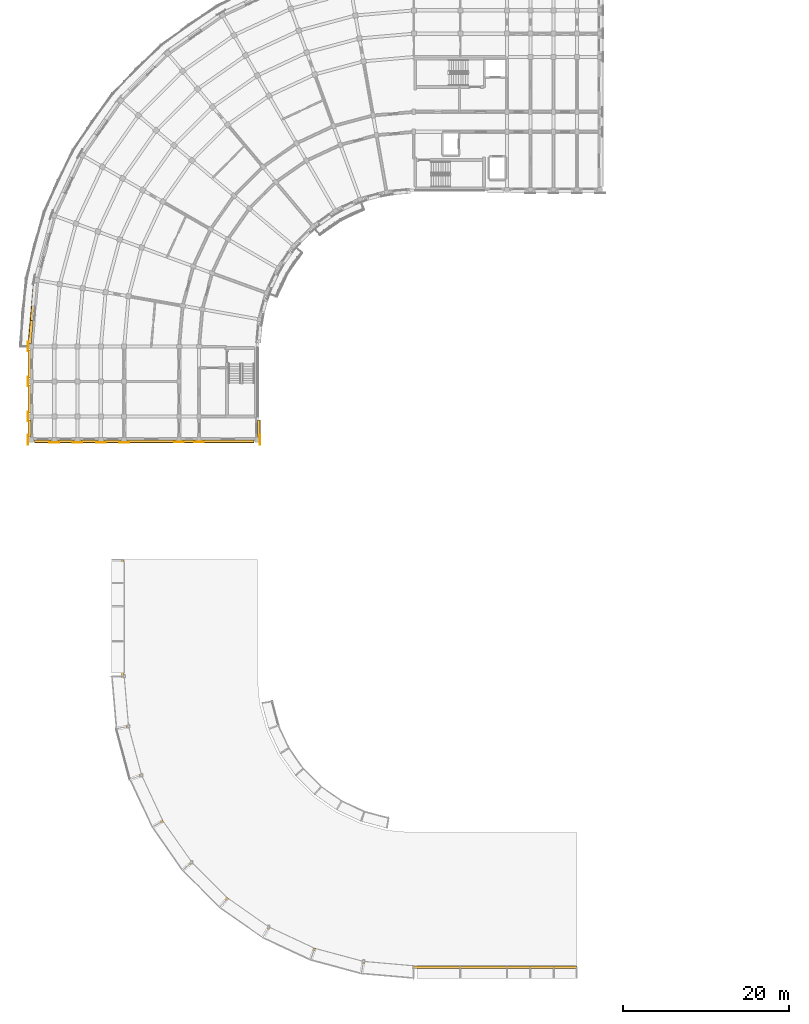
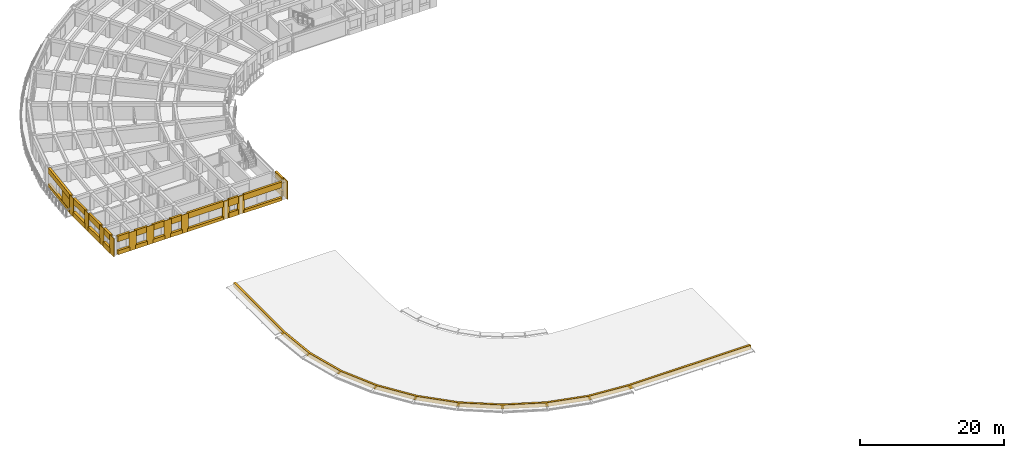
# One storey, part 30 of 41: 37 coverings.
"""IFC4 building model written with IfcOpenShell, lengths in metres."""

from ifc_helpers import new_model, si_unit, direction, frame, origin, place, context, subcontext, project, spatial, polyline, outline, extrude, material, layer, layer_set, type_object, element, save


model = new_model("IFC4")

# Units and contexts
model_context = context("Model", 3, precision=1e-05, world=origin(), true_north=direction((0.0, 1.0)))
body_context = subcontext(model_context, "Body", "Model", "MODEL_VIEW")
ifc_project = project(units=[si_unit("LENGTHUNIT", "METRE"), si_unit("AREAUNIT", "SQUARE_METRE"), si_unit("VOLUMEUNIT", "CUBIC_METRE"), si_unit("PLANEANGLEUNIT", "RADIAN"), si_unit("MASSUNIT", "GRAM", prefix="KILO")], contexts=[model_context])

# Site, building, storey
site_placement = place(None, origin())
site = spatial("IfcSite", under=ifc_project, at=site_placement, CompositionType="ELEMENT")
building_placement = place(site_placement, origin())
building = spatial("IfcBuilding", under=site, at=building_placement, Name="Kiranvali Square Residences", CompositionType="ELEMENT")
storey_placement = place(building_placement, frame((0.0, 0.0, 33.89990234375)))
storey = spatial("IfcBuildingStorey", under=building, at=storey_placement, Name="L10", CompositionType="ELEMENT", Elevation=33.89990234375)

# Coverings
ifc_material_1 = material(Name="Carved Porbandar limestone classical entablature and cornice", Category="masonry")
ifc_layer_1 = layer(ifc_material_1, 0.409912109375)
ifc_layer_set_1 = layer_set([ifc_layer_1], Name="Carved Porbandar limestone classical entablature and cornice")
covering_type_1 = type_object("IfcCoveringType", Name="COV-CLAD-ATTIC", PredefinedType="CLADDING", material=ifc_layer_set_1)
covering_1_placement = place(storey_placement, frame((0.0, 0.0, -0.5498046875)))
element("IfcCovering", 1, at=covering_1_placement, inside=storey, type_object=covering_type_1, Name="Block C Classical Ottoman attic entablature frieze", PredefinedType="CLADDING", context=body_context, shape_type="SweptSolid", body=[
    extrude(outline(polyline([(67.800048828125, 13.39794921875), (48.199951171875, 13.39794921875), (42.15673828125, 13.9267578125), (36.297119140625, 15.496826171875), (30.799072265625, 18.060546875), (25.82958984375, 21.5400390625), (21.5400390625, 25.82958984375), (18.060546875, 30.799072265625), (15.496826171875, 36.297119140625), (13.9267578125, 42.15673828125), (13.39794921875, 48.199951171875), (13.39794921875, 62.199951171875), (13.080078125, 62.199951171875), (13.080078125, 48.199951171875), (13.613525390625, 42.1015625), (15.197998046875, 36.188232421875), (17.78515625, 30.639892578125), (21.296630859375, 25.625244140625), (25.625244140625, 21.296630859375), (30.639892578125, 17.78515625), (36.188232421875, 15.197998046875), (42.1015625, 13.613525390625), (48.199951171875, 13.080078125), (67.800048828125, 13.080078125), (67.800048828125, 13.39794921875)])), origin(), (0.0, 0.0, 1.0), 0.68994140625),
])
ifc_material_2 = material(Name="Honed Porbandar limestone ashlar facade cladding", Category="masonry")
ifc_layer_2 = layer(ifc_material_2, 0.3798828125)
ifc_layer_set_2 = layer_set([ifc_layer_2], Name="Honed Porbandar limestone ashlar facade cladding")
covering_type_2 = type_object("IfcCoveringType", Name="COV-CLAD-JAMB", PredefinedType="CLADDING", material=ifc_layer_set_2)
covering_2_placement = place(storey_placement, frame((0.0, 0.0, 0.522216796875)))
element("IfcCovering", 2, at=covering_2_placement, inside=storey, type_object=covering_type_2, Name="L10 deep limestone window jamb reveal A-L10-CRV-08.R", PredefinedType="CLADDING", context=body_context, shape_type="SweptSolid", body=[
    extrude(outline(polyline([(2.114501953125, 90.95361328125), (1.871826171875, 88.179931640625), (2.22998046875, 88.148681640625), (2.47265625, 90.92236328125), (2.114501953125, 90.95361328125)])), origin(), (0.0, 0.0, 1.0), 1.75),
])
ifc_layer_3 = layer(ifc_material_2, 0.06494140625)
ifc_layer_set_3 = layer_set([ifc_layer_3], Name="Honed Porbandar limestone ashlar facade cladding")
covering_type_3 = type_object("IfcCoveringType", Name="COV-CLAD-PIER", PredefinedType="CLADDING", material=ifc_layer_set_3)
covering_3_placement = place(storey_placement, frame((0.0, 0.0, 0.005126953125)))
element("IfcCovering", 3, at=covering_3_placement, inside=storey, type_object=covering_type_3, Name="L10 Classical limestone corner pilaster CLAD-PR-A-L10-A09", PredefinedType="CLADDING", context=body_context, shape_type="SweptSolid", body=[
    extrude(outline(polyline([(1.83203125, 88.3798828125), (1.83203125, 87.219970703125), (1.8994140625, 87.219970703125), (1.8994140625, 88.3798828125), (1.83203125, 88.3798828125)])), origin(), (0.0, 0.0, 1.0), 3.139892578125),
])
ifc_layer_4 = layer(ifc_material_2, 0.050048828125)
ifc_layer_set_4 = layer_set([ifc_layer_4], Name="Honed Porbandar limestone ashlar facade cladding")
covering_type_4 = type_object("IfcCoveringType", Name="COV-CLAD-PIER-IN", PredefinedType="CLADDING", material=ifc_layer_set_4)
covering_4_placement = place(storey_placement, frame((0.0, 0.0, 0.005126953125)))
element("IfcCovering", 4, at=covering_4_placement, inside=storey, type_object=covering_type_4, Name="L10 Classical limestone pilaster casing CLAD-PRA2I-A-L10-V112", PredefinedType="CLADDING", context=body_context, shape_type="SweptSolid", body=[
    extrude(outline(polyline([(29.700439453125, 77.179931640625), (29.700439453125, 76.02001953125), (29.76806640625, 76.02001953125), (29.76806640625, 77.179931640625), (29.700439453125, 77.179931640625)])), origin(), (0.0, 0.0, 1.0), 3.139892578125),
])
ifc_layer_5 = layer(ifc_material_2, 0.054931640625)
ifc_layer_set_5 = layer_set([ifc_layer_5], Name="Honed Porbandar limestone ashlar facade cladding")
covering_type_5 = type_object("IfcCoveringType", Name="COV-CLAD-PIER-UP", PredefinedType="CLADDING", material=ifc_layer_set_5)
covering_5_placement = place(storey_placement, frame((0.0, 0.0, 0.005126953125)))
element("IfcCovering", 5, at=covering_5_placement, inside=storey, type_object=covering_type_5, Name="L10 Classical limestone pilaster casing CLAD-PR-A-L10-V42", PredefinedType="CLADDING", context=body_context, shape_type="SweptSolid", body=[
    extrude(outline(polyline([(1.83203125, 84.179931640625), (1.83203125, 83.02001953125), (1.8994140625, 83.02001953125), (1.8994140625, 84.179931640625), (1.83203125, 84.179931640625)])), origin(), (0.0, 0.0, 1.0), 3.139892578125),
])
covering_6_placement = place(storey_placement, frame((0.0, 0.0, 0.005126953125)))
element("IfcCovering", 6, at=covering_6_placement, inside=storey, type_object=covering_type_5, Name="L10 Classical limestone pilaster casing CLAD-PR-A-L10-V84", PredefinedType="CLADDING", context=body_context, shape_type="SweptSolid", body=[
    extrude(outline(polyline([(1.83203125, 79.97998046875), (1.83203125, 78.820068359375), (1.8994140625, 78.820068359375), (1.8994140625, 79.97998046875), (1.83203125, 79.97998046875)])), origin(), (0.0, 0.0, 1.0), 3.139892578125),
])
covering_7_placement = place(storey_placement, frame((0.0, 0.0, 0.005126953125)))
element("IfcCovering", 7, at=covering_7_placement, inside=storey, type_object=covering_type_5, Name="L10 Classical limestone pilaster casing CLAD-PR-A-L10-V112", PredefinedType="CLADDING", context=body_context, shape_type="SweptSolid", body=[
    extrude(outline(polyline([(1.83203125, 77.179931640625), (1.83203125, 76.02001953125), (1.8994140625, 76.02001953125), (1.8994140625, 77.179931640625), (1.83203125, 77.179931640625)])), origin(), (0.0, 0.0, 1.0), 3.139892578125),
])
covering_8_placement = place(storey_placement, frame((0.0, 0.0, 0.005126953125)))
element("IfcCovering", 8, at=covering_8_placement, inside=storey, type_object=covering_type_5, Name="L10 Classical limestone pilaster casing CLAD-PRA2E-A-L10-R258", PredefinedType="CLADDING", context=body_context, shape_type="SweptSolid", body=[
    extrude(outline(polyline([(22.97998046875, 76.349609375), (21.820068359375, 76.349609375), (21.820068359375, 76.281982421875), (22.97998046875, 76.281982421875), (22.97998046875, 76.349609375)])), origin(), (0.0, 0.0, 1.0), 3.139892578125),
])
covering_9_placement = place(storey_placement, frame((0.0, 0.0, 0.005126953125)))
element("IfcCovering", 9, at=covering_9_placement, inside=storey, type_object=covering_type_5, Name="L10 Classical limestone pilaster casing CLAD-PRA2E-A-L10-R282", PredefinedType="CLADDING", context=body_context, shape_type="SweptSolid", body=[
    extrude(outline(polyline([(20.580078125, 76.349609375), (19.419921875, 76.349609375), (19.419921875, 76.281982421875), (20.580078125, 76.281982421875), (20.580078125, 76.349609375)])), origin(), (0.0, 0.0, 1.0), 3.139892578125),
])
covering_10_placement = place(storey_placement, frame((0.0, 0.0, 0.005126953125)))
element("IfcCovering", 10, at=covering_10_placement, inside=storey, type_object=covering_type_5, Name="L10 Classical limestone pilaster casing CLAD-PRA2E-A-L10-R348", PredefinedType="CLADDING", context=body_context, shape_type="SweptSolid", body=[
    extrude(outline(polyline([(13.97998046875, 76.299560546875), (12.820068359375, 76.299560546875), (12.820068359375, 76.23193359375), (13.97998046875, 76.23193359375), (13.97998046875, 76.299560546875)])), origin(), (0.0, 0.0, 1.0), 3.139892578125),
])
covering_11_placement = place(storey_placement, frame((0.0, 0.0, 0.005126953125)))
element("IfcCovering", 11, at=covering_11_placement, inside=storey, type_object=covering_type_5, Name="L10 Classical limestone pilaster casing CLAD-PRA2E-A-L10-R376", PredefinedType="CLADDING", context=body_context, shape_type="SweptSolid", body=[
    extrude(outline(polyline([(11.179931640625, 76.299560546875), (10.02001953125, 76.299560546875), (10.02001953125, 76.23193359375), (11.179931640625, 76.23193359375), (11.179931640625, 76.299560546875)])), origin(), (0.0, 0.0, 1.0), 3.139892578125),
])
covering_12_placement = place(storey_placement, frame((0.0, 0.0, 0.005126953125)))
element("IfcCovering", 12, at=covering_12_placement, inside=storey, type_object=covering_type_5, Name="L10 Classical limestone pilaster casing CLAD-PRA2E-A-L10-R404", PredefinedType="CLADDING", context=body_context, shape_type="SweptSolid", body=[
    extrude(outline(polyline([(8.3798828125, 76.299560546875), (7.219970703125, 76.299560546875), (7.219970703125, 76.23193359375), (8.3798828125, 76.23193359375), (8.3798828125, 76.299560546875)])), origin(), (0.0, 0.0, 1.0), 3.139892578125),
])
covering_13_placement = place(storey_placement, frame((0.0, 0.0, 0.005126953125)))
element("IfcCovering", 13, at=covering_13_placement, inside=storey, type_object=covering_type_5, Name="L10 Classical limestone pilaster casing CLAD-PRA2E-A-L10-R432", PredefinedType="CLADDING", context=body_context, shape_type="SweptSolid", body=[
    extrude(outline(polyline([(5.580078125, 76.299560546875), (4.419921875, 76.299560546875), (4.419921875, 76.23193359375), (5.580078125, 76.23193359375), (5.580078125, 76.299560546875)])), origin(), (0.0, 0.0, 1.0), 3.139892578125),
])
ifc_layer_6 = layer(ifc_material_2, 0.360107421875)
ifc_layer_set_6 = layer_set([ifc_layer_6], Name="Honed Porbandar limestone ashlar facade cladding")
covering_type_6 = type_object("IfcCoveringType", Name="COV-CLAD-WALL", PredefinedType="CLADDING", material=ifc_layer_set_6)
covering_14_placement = place(storey_placement, frame((0.0, 0.0, 2.272216796875)))
element("IfcCovering", 14, at=covering_14_placement, inside=storey, type_object=covering_type_6, Name="L10 light limestone spandrel lintel A-L10-CRV-08", PredefinedType="CLADDING", context=body_context, shape_type="SweptSolid", body=[
    extrude(outline(polyline([(2.509765625, 95.470458984375), (1.871826171875, 88.179931640625), (2.22998046875, 88.148681640625), (2.867919921875, 95.439208984375), (2.509765625, 95.470458984375)])), origin(), (0.0, 0.0, 1.0), 0.872802734375),
])
covering_15_placement = place(storey_placement, frame((0.0, 0.0, 2.130126953125)))
element("IfcCovering", 15, at=covering_15_placement, inside=storey, type_object=covering_type_6, Name="L10 light limestone spandrel lintel A-L10-A2O-0", PredefinedType="CLADDING", context=body_context, shape_type="SweptSolid", body=[
    extrude(outline(polyline([(1.85009765625, 87.3798828125), (1.85009765625, 84.02001953125), (2.199462890625, 84.02001953125), (2.199462890625, 87.3798828125), (1.85009765625, 87.3798828125)])), origin(), (0.0, 0.0, 1.0), 1.014892578125),
])
covering_16_placement = place(storey_placement, frame((0.0, 0.0, 2.130126953125)))
element("IfcCovering", 16, at=covering_16_placement, inside=storey, type_object=covering_type_6, Name="L10 light limestone spandrel lintel A-L10-A2O-1", PredefinedType="CLADDING", context=body_context, shape_type="SweptSolid", body=[
    extrude(outline(polyline([(1.85009765625, 83.179931640625), (1.85009765625, 79.820068359375), (2.199462890625, 79.820068359375), (2.199462890625, 83.179931640625), (1.85009765625, 83.179931640625)])), origin(), (0.0, 0.0, 1.0), 1.014892578125),
])
covering_17_placement = place(storey_placement, frame((0.0, 0.0, 2.130126953125)))
element("IfcCovering", 17, at=covering_17_placement, inside=storey, type_object=covering_type_6, Name="L10 light limestone spandrel lintel A-L10-A2O-2", PredefinedType="CLADDING", context=body_context, shape_type="SweptSolid", body=[
    extrude(outline(polyline([(1.85009765625, 78.97998046875), (1.85009765625, 77.02001953125), (2.199462890625, 77.02001953125), (2.199462890625, 78.97998046875), (1.85009765625, 78.97998046875)])), origin(), (0.0, 0.0, 1.0), 1.014892578125),
])
covering_18_placement = place(storey_placement, frame((0.0, 0.0, 2.130126953125)))
element("IfcCovering", 18, at=covering_18_placement, inside=storey, type_object=covering_type_6, Name="L10 light limestone spandrel lintel A-L10-A2I-0", PredefinedType="CLADDING", context=body_context, shape_type="SweptSolid", body=[
    extrude(outline(polyline([(29.400390625, 78.97998046875), (29.400390625, 77.02001953125), (29.719970703125, 77.02001953125), (29.719970703125, 78.97998046875), (29.400390625, 78.97998046875)])), origin(), (0.0, 0.0, 1.0), 1.014892578125),
])
covering_19_placement = place(storey_placement, frame((0.0, 0.0, 2.172119140625)))
element("IfcCovering", 19, at=covering_19_placement, inside=storey, type_object=covering_type_6, Name="L10 light limestone spandrel lintel A-L10-A2END-0", PredefinedType="CLADDING", context=body_context, shape_type="SweptSolid", body=[
    extrude(outline(polyline([(28.97998046875, 76.599609375), (22.820068359375, 76.599609375), (22.820068359375, 76.260009765625), (28.97998046875, 76.260009765625), (28.97998046875, 76.599609375)])), origin(), (0.0, 0.0, 1.0), 0.972900390625),
])
covering_20_placement = place(storey_placement, frame((0.0, 0.0, 1.93017578125)))
element("IfcCovering", 20, at=covering_20_placement, inside=storey, type_object=covering_type_6, Name="L10 light limestone spandrel lintel A-L10-A2END-1", PredefinedType="CLADDING", context=body_context, shape_type="SweptSolid", body=[
    extrude(outline(polyline([(21.97998046875, 76.599609375), (20.419921875, 76.599609375), (20.419921875, 76.260009765625), (21.97998046875, 76.260009765625), (21.97998046875, 76.599609375)])), origin(), (0.0, 0.0, 1.0), 1.21484375),
])
covering_21_placement = place(storey_placement, frame((0.0, 0.0, 2.172119140625)))
element("IfcCovering", 21, at=covering_21_placement, inside=storey, type_object=covering_type_6, Name="L10 light limestone spandrel lintel A-L10-A2END-2", PredefinedType="CLADDING", context=body_context, shape_type="SweptSolid", body=[
    extrude(outline(polyline([(19.580078125, 76.599609375), (13.820068359375, 76.599609375), (13.820068359375, 76.260009765625), (19.580078125, 76.260009765625), (19.580078125, 76.599609375)])), origin(), (0.0, 0.0, 1.0), 0.972900390625),
])
covering_22_placement = place(storey_placement, frame((0.0, 0.0, 2.172119140625)))
element("IfcCovering", 22, at=covering_22_placement, inside=storey, type_object=covering_type_6, Name="L10 light limestone spandrel lintel A-L10-A2END-3", PredefinedType="CLADDING", context=body_context, shape_type="SweptSolid", body=[
    extrude(outline(polyline([(12.97998046875, 76.599609375), (11.02001953125, 76.599609375), (11.02001953125, 76.260009765625), (12.97998046875, 76.260009765625), (12.97998046875, 76.599609375)])), origin(), (0.0, 0.0, 1.0), 0.972900390625),
])
covering_23_placement = place(storey_placement, frame((0.0, 0.0, 2.172119140625)))
element("IfcCovering", 23, at=covering_23_placement, inside=storey, type_object=covering_type_6, Name="L10 light limestone spandrel lintel A-L10-A2END-4", PredefinedType="CLADDING", context=body_context, shape_type="SweptSolid", body=[
    extrude(outline(polyline([(10.179931640625, 76.599609375), (8.219970703125, 76.599609375), (8.219970703125, 76.260009765625), (10.179931640625, 76.260009765625), (10.179931640625, 76.599609375)])), origin(), (0.0, 0.0, 1.0), 0.972900390625),
])
covering_24_placement = place(storey_placement, frame((0.0, 0.0, 2.172119140625)))
element("IfcCovering", 24, at=covering_24_placement, inside=storey, type_object=covering_type_6, Name="L10 light limestone spandrel lintel A-L10-A2END-5", PredefinedType="CLADDING", context=body_context, shape_type="SweptSolid", body=[
    extrude(outline(polyline([(7.3798828125, 76.599609375), (5.419921875, 76.599609375), (5.419921875, 76.260009765625), (7.3798828125, 76.260009765625), (7.3798828125, 76.599609375)])), origin(), (0.0, 0.0, 1.0), 0.972900390625),
])
covering_25_placement = place(storey_placement, frame((0.0, 0.0, 2.172119140625)))
element("IfcCovering", 25, at=covering_25_placement, inside=storey, type_object=covering_type_6, Name="L10 light limestone spandrel lintel A-L10-A2END-6", PredefinedType="CLADDING", context=body_context, shape_type="SweptSolid", body=[
    extrude(outline(polyline([(4.580078125, 76.599609375), (2.6201171875, 76.599609375), (2.6201171875, 76.260009765625), (4.580078125, 76.260009765625), (4.580078125, 76.599609375)])), origin(), (0.0, 0.0, 1.0), 0.972900390625),
])
ifc_layer_7 = layer(ifc_material_2, 0.320068359375)
ifc_layer_set_7 = layer_set([ifc_layer_7], Name="Honed Porbandar limestone ashlar facade cladding")
covering_type_7 = type_object("IfcCoveringType", Name="COV-CLAD-WALL-UP", PredefinedType="CLADDING", material=ifc_layer_set_7)
covering_26_placement = place(storey_placement, frame((0.0, 0.0, 0.005126953125)))
element("IfcCovering", 26, at=covering_26_placement, inside=storey, type_object=covering_type_7, Name="L10 limestone window sill apron A-L10-CRV-08", PredefinedType="CLADDING", context=body_context, shape_type="SweptSolid", body=[
    extrude(outline(polyline([(2.479736328125, 95.47314453125), (1.842041015625, 88.1826171875), (2.22998046875, 88.148681640625), (2.867919921875, 95.439208984375), (2.479736328125, 95.47314453125)])), origin(), (0.0, 0.0, 1.0), 0.51708984375),
])
covering_27_placement = place(storey_placement, frame((0.0, 0.0, 0.005126953125)))
element("IfcCovering", 27, at=covering_27_placement, inside=storey, type_object=covering_type_7, Name="L10 limestone window sill apron A-L10-A2O-0", PredefinedType="CLADDING", context=body_context, shape_type="SweptSolid", body=[
    extrude(outline(polyline([(1.820068359375, 87.3798828125), (1.820068359375, 84.02001953125), (2.199462890625, 84.02001953125), (2.199462890625, 87.3798828125), (1.820068359375, 87.3798828125)])), origin(), (0.0, 0.0, 1.0), 0.875),
])
covering_28_placement = place(storey_placement, frame((0.0, 0.0, 0.005126953125)))
element("IfcCovering", 28, at=covering_28_placement, inside=storey, type_object=covering_type_7, Name="L10 limestone window sill apron A-L10-A2O-1", PredefinedType="CLADDING", context=body_context, shape_type="SweptSolid", body=[
    extrude(outline(polyline([(1.820068359375, 83.179931640625), (1.820068359375, 79.820068359375), (2.199462890625, 79.820068359375), (2.199462890625, 83.179931640625), (1.820068359375, 83.179931640625)])), origin(), (0.0, 0.0, 1.0), 0.875),
])
covering_29_placement = place(storey_placement, frame((0.0, 0.0, 0.005126953125)))
element("IfcCovering", 29, at=covering_29_placement, inside=storey, type_object=covering_type_7, Name="L10 limestone window sill apron A-L10-A2O-2", PredefinedType="CLADDING", context=body_context, shape_type="SweptSolid", body=[
    extrude(outline(polyline([(1.820068359375, 78.97998046875), (1.820068359375, 77.02001953125), (2.199462890625, 77.02001953125), (2.199462890625, 78.97998046875), (1.820068359375, 78.97998046875)])), origin(), (0.0, 0.0, 1.0), 0.875),
])
covering_30_placement = place(storey_placement, frame((0.0, 0.0, 0.005126953125)))
element("IfcCovering", 30, at=covering_30_placement, inside=storey, type_object=covering_type_7, Name="L10 limestone window sill apron A-L10-A2I-0", PredefinedType="CLADDING", context=body_context, shape_type="SweptSolid", body=[
    extrude(outline(polyline([(29.400390625, 78.97998046875), (29.400390625, 77.02001953125), (29.75, 77.02001953125), (29.75, 78.97998046875), (29.400390625, 78.97998046875)])), origin(), (0.0, 0.0, 1.0), 0.875),
])
covering_31_placement = place(storey_placement, frame((0.0, 0.0, 0.005126953125)))
element("IfcCovering", 31, at=covering_31_placement, inside=storey, type_object=covering_type_7, Name="L10 limestone window sill apron A-L10-A2END-0", PredefinedType="CLADDING", context=body_context, shape_type="SweptSolid", body=[
    extrude(outline(polyline([(28.97998046875, 76.599609375), (22.820068359375, 76.599609375), (22.820068359375, 76.22998046875), (28.97998046875, 76.22998046875), (28.97998046875, 76.599609375)])), origin(), (0.0, 0.0, 1.0), 0.51708984375),
])
covering_32_placement = place(storey_placement, frame((0.0, 0.0, 0.005126953125)))
element("IfcCovering", 32, at=covering_32_placement, inside=storey, type_object=covering_type_7, Name="L10 limestone window sill apron A-L10-A2END-1", PredefinedType="CLADDING", context=body_context, shape_type="SweptSolid", body=[
    extrude(outline(polyline([(21.97998046875, 76.599609375), (20.419921875, 76.599609375), (20.419921875, 76.22998046875), (21.97998046875, 76.22998046875), (21.97998046875, 76.599609375)])), origin(), (0.0, 0.0, 1.0), 0.875),
])
covering_33_placement = place(storey_placement, frame((0.0, 0.0, 0.005126953125)))
element("IfcCovering", 33, at=covering_33_placement, inside=storey, type_object=covering_type_7, Name="L10 limestone window sill apron A-L10-A2END-2", PredefinedType="CLADDING", context=body_context, shape_type="SweptSolid", body=[
    extrude(outline(polyline([(19.580078125, 76.599609375), (13.820068359375, 76.599609375), (13.820068359375, 76.22998046875), (19.580078125, 76.22998046875), (19.580078125, 76.599609375)])), origin(), (0.0, 0.0, 1.0), 0.51708984375),
])
covering_34_placement = place(storey_placement, frame((0.0, 0.0, 0.005126953125)))
element("IfcCovering", 34, at=covering_34_placement, inside=storey, type_object=covering_type_7, Name="L10 limestone window sill apron A-L10-A2END-3", PredefinedType="CLADDING", context=body_context, shape_type="SweptSolid", body=[
    extrude(outline(polyline([(12.97998046875, 76.599609375), (11.02001953125, 76.599609375), (11.02001953125, 76.22998046875), (12.97998046875, 76.22998046875), (12.97998046875, 76.599609375)])), origin(), (0.0, 0.0, 1.0), 0.6669921875),
])
covering_35_placement = place(storey_placement, frame((0.0, 0.0, 0.005126953125)))
element("IfcCovering", 35, at=covering_35_placement, inside=storey, type_object=covering_type_7, Name="L10 limestone window sill apron A-L10-A2END-4", PredefinedType="CLADDING", context=body_context, shape_type="SweptSolid", body=[
    extrude(outline(polyline([(10.179931640625, 76.599609375), (8.219970703125, 76.599609375), (8.219970703125, 76.22998046875), (10.179931640625, 76.22998046875), (10.179931640625, 76.599609375)])), origin(), (0.0, 0.0, 1.0), 0.6669921875),
])
covering_36_placement = place(storey_placement, frame((0.0, 0.0, 0.005126953125)))
element("IfcCovering", 36, at=covering_36_placement, inside=storey, type_object=covering_type_7, Name="L10 limestone window sill apron A-L10-A2END-5", PredefinedType="CLADDING", context=body_context, shape_type="SweptSolid", body=[
    extrude(outline(polyline([(7.3798828125, 76.599609375), (5.419921875, 76.599609375), (5.419921875, 76.22998046875), (7.3798828125, 76.22998046875), (7.3798828125, 76.599609375)])), origin(), (0.0, 0.0, 1.0), 0.6669921875),
])
covering_37_placement = place(storey_placement, frame((0.0, 0.0, 0.005126953125)))
element("IfcCovering", 37, at=covering_37_placement, inside=storey, type_object=covering_type_7, Name="L10 limestone window sill apron A-L10-A2END-6", PredefinedType="CLADDING", context=body_context, shape_type="SweptSolid", body=[
    extrude(outline(polyline([(4.580078125, 76.599609375), (2.6201171875, 76.599609375), (2.6201171875, 76.22998046875), (4.580078125, 76.22998046875), (4.580078125, 76.599609375)])), origin(), (0.0, 0.0, 1.0), 0.6669921875),
])

save(model, "model.ifc")
